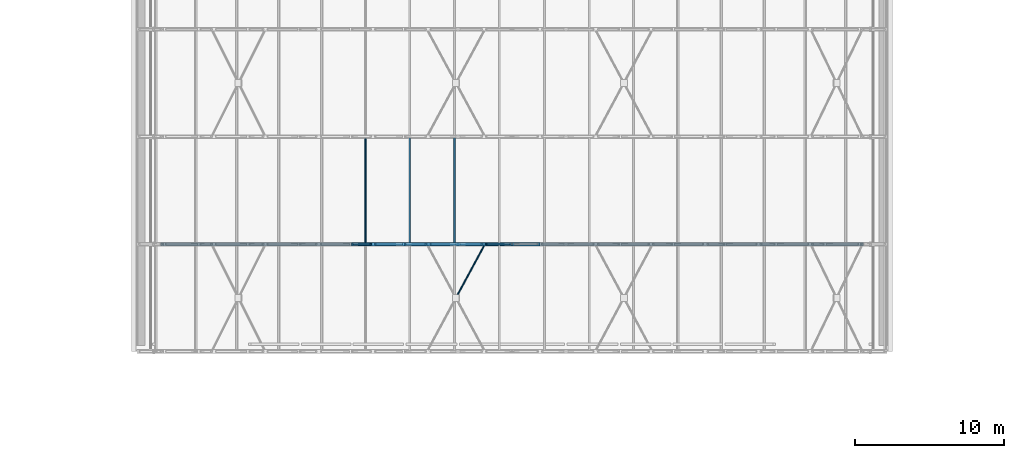
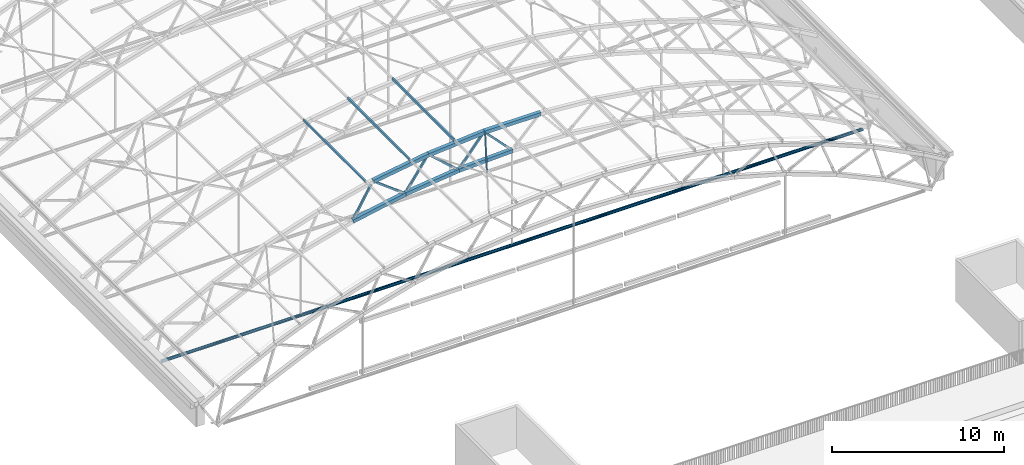
# One storey, part 14 of 127: 17 members.
"""IFC4 building model written with IfcOpenShell, lengths in metres."""

import ifcopenshell
import ifcopenshell.guid

model = None  # the IFC model being written
_history = None  # IfcOwnerHistory: only IFC2X3 demands one
_inside = {}  # id of a spatial element -> (the spatial element, [elements in it])
_under = {}  # id of a project, library or spatial element -> (it, [spatial elements below it])
_declared = {}  # id of a project -> (the project, [libraries it declares])
_typed = {}  # id of a type object -> (the type object, [elements of that type])
_made_of = {}  # id of a material, layer set ... -> (it, [elements and type objects made of it])


def new_model(schema):
    """Start an empty IFC model of exactly this schema.

    Asked for "IFC4X3", IfcOpenShell would pick the latest addendum, in which some entities
    have other attributes; the version numbers below select the first issue.
    IFC2X3 requires an IfcOwnerHistory on every rooted entity: one is made here for all.
    """
    global model, _history
    if schema == "IFC4X3":
        model = ifcopenshell.file(schema_version=(4, 3, 0, 0))
    else:
        model = ifcopenshell.file(schema=schema)
    _inside.clear()
    _under.clear()
    _declared.clear()
    _typed.clear()
    _made_of.clear()
    _history = None
    if model.schema == "IFC2X3":
        org = make("IfcOrganization", Name="unknown")
        user = make(
            "IfcPersonAndOrganization",
            ThePerson=make("IfcPerson", FamilyName="unknown"),
            TheOrganization=org,
        )
        app = make(
            "IfcApplication",
            ApplicationDeveloper=org,
            Version="unknown",
            ApplicationFullName="unknown",
            ApplicationIdentifier="unknown",
        )
        _history = make(
            "IfcOwnerHistory",
            OwningUser=user,
            OwningApplication=app,
            ChangeAction="ADDED",
            CreationDate=0,
        )
    return model


def make(cls, **values):
    """One entity of the class cls with the attributes given. An attribute that is None is left unset."""
    return model.create_entity(
        cls, **{name: value for name, value in values.items() if value is not None}
    )


def rooted(cls, **values):
    """An entity with a GlobalId (a new one), such as an element, a storey or a relation."""
    return make(cls, GlobalId=ifcopenshell.guid.new(), OwnerHistory=_history, **values)


def si_unit(unit_type, name, prefix=None):
    """IfcSIUnit, for example si_unit("LENGTHUNIT", "METRE", prefix="MILLI")."""
    return make("IfcSIUnit", UnitType=unit_type, Prefix=prefix, Name=name)


def assignment(units):
    """IfcUnitAssignment: the units of a project."""
    return None if units is None else make("IfcUnitAssignment", Units=units)


def point(xyz):
    """IfcCartesianPoint."""
    return None if xyz is None else make("IfcCartesianPoint", Coordinates=xyz)


def direction(xyz):
    """IfcDirection."""
    return None if xyz is None else make("IfcDirection", DirectionRatios=xyz)


def frame(location, z_axis=None, x_axis=None):
    """IfcAxis2Placement3D, a coordinate frame: its origin and axes. An axis left out is left unset."""
    return make(
        "IfcAxis2Placement3D",
        Location=point(location),
        Axis=direction(z_axis),
        RefDirection=direction(x_axis),
    )


def frame_2d(location, x_axis=None):
    """IfcAxis2Placement2D, a coordinate frame in the plane: its origin and x axis."""
    return make(
        "IfcAxis2Placement2D", Location=point(location), RefDirection=direction(x_axis)
    )


def origin():
    """The frame at (0, 0, 0) with its axes left unset."""
    return frame((0.0, 0.0, 0.0))


def origin_2d():
    """The frame at (0, 0) in the plane with its x axis left unset."""
    return frame_2d((0.0, 0.0))


def place(relative_to, where):
    """IfcLocalPlacement: puts the frame where relative to a parent placement (None: the world)."""
    return make(
        "IfcLocalPlacement", PlacementRelTo=relative_to, RelativePlacement=where
    )


def context(
    kind, dimensions, precision=None, world=None, true_north=None, identifier=None
):
    """IfcGeometricRepresentationContext, for example the 3D "Model" context."""
    return make(
        "IfcGeometricRepresentationContext",
        ContextIdentifier=identifier,
        ContextType=kind,
        CoordinateSpaceDimension=dimensions,
        Precision=precision,
        WorldCoordinateSystem=world,
        TrueNorth=true_north,
    )


def subcontext(parent, identifier, kind, view, scale=None):
    """IfcGeometricRepresentationSubContext, for example "Body" below "Model"."""
    return make(
        "IfcGeometricRepresentationSubContext",
        ContextIdentifier=identifier,
        ContextType=kind,
        ParentContext=parent,
        TargetScale=scale,
        TargetView=view,
    )


def project(units=None, contexts=None):
    """IfcProject with its units and contexts."""
    return rooted(
        "IfcProject",
        Name="project",
        RepresentationContexts=contexts,
        UnitsInContext=assignment(units),
    )


def spatial(cls, under=None, at=None, **own):
    """A site, building, storey or space (cls), placed at a placement, below another one or the project."""
    s = rooted(cls, ObjectPlacement=at, **own)
    if under is not None:
        _under.setdefault(under.id(), (under, []))[1].append(s)
    return s


def profile(cls, at=None, kind="AREA", **sizes):
    """A parametric profile (cls). Its sizes go by their IFC names, for example OverallWidth=200.0."""
    return make(cls, ProfileType=kind, Position=at, **sizes)


def hollow_rectangle(**sizes):
    """IfcRectangleHollowProfileDef."""
    return profile("IfcRectangleHollowProfileDef", **sizes)


def hollow_circle(**sizes):
    """IfcCircleHollowProfileDef."""
    return profile("IfcCircleHollowProfileDef", **sizes)


def extrude(swept, where, along, depth):
    """IfcExtrudedAreaSolid: the profile swept, set in the frame where, extruded along a direction by depth."""
    return make(
        "IfcExtrudedAreaSolid",
        SweptArea=swept,
        Position=where,
        ExtrudedDirection=direction(along),
        Depth=depth,
    )


def shape(context_of_items, identifier, shape_type, items):
    """IfcShapeRepresentation: the items that make up one representation, for example the "Body"."""
    return make(
        "IfcShapeRepresentation",
        ContextOfItems=context_of_items,
        RepresentationIdentifier=identifier,
        RepresentationType=shape_type,
        Items=items,
    )


def material(Name=None, Category=None):
    """IfcMaterial."""
    return make("IfcMaterial", Name=Name, Category=Category)


def material_profile(
    of_material, cross_section, Name=None, Category=None, Priority=None
):
    """IfcMaterialProfile: a cross section and its material."""
    return make(
        "IfcMaterialProfile",
        Name=Name,
        Material=of_material,
        Profile=cross_section,
        Priority=Priority,
        Category=Category,
    )


def profile_set(profiles, Name=None, composite=None):
    """IfcMaterialProfileSet."""
    return make(
        "IfcMaterialProfileSet",
        Name=Name,
        MaterialProfiles=profiles,
        CompositeProfile=composite,
    )


def made_of(thing, what):
    """Note that an element or type object is made of a material, layer set ...; save() writes the relation."""
    if what is not None:
        _made_of.setdefault(what.id(), (what, []))[1].append(thing)
    return thing


def type_object(cls, material=None, **own):
    """A type object (cls), such as IfcWallType, which elements share."""
    return made_of(rooted(cls, **own), material)


def element(
    cls,
    number,
    at=None,
    inside=None,
    cuts=None,
    type_object=None,
    material=None,
    context=None,
    identifier="Body",
    shape_type=None,
    held_by="IfcProductDefinitionShape",
    body=None,
    shapes=None,
    **own,
):
    """One element of the class cls, such as IfcWall. Its Tag is "e" and its number.

    at: its placement. inside: the storey or other place that contains it. cuts: it is an
    opening in that element (IfcRelVoidsElement). A single representation is given by context,
    identifier, shape_type and body (its items); several are given by shapes. held_by: the class
    of the entity that holds the representations. save() writes the other relations.
    """
    e = rooted(cls, Tag="e%d" % number, ObjectPlacement=at, **own)
    if body is not None:
        shapes = [shape(context, identifier, shape_type, body)]
    if shapes is not None:
        e.Representation = make(held_by, Representations=shapes)
    if inside is not None:
        _inside.setdefault(inside.id(), (inside, []))[1].append(e)
    if cuts is not None:
        rooted(
            "IfcRelVoidsElement", RelatingBuildingElement=cuts, RelatedOpeningElement=e
        )
    if type_object is not None:
        _typed.setdefault(type_object.id(), (type_object, []))[1].append(e)
    return made_of(e, material)


def aggregate(whole, parts):
    """IfcRelAggregates: a whole, such as a stair, and the parts it consists of."""
    return rooted("IfcRelAggregates", RelatingObject=whole, RelatedObjects=parts)


def save(model, path):
    """Write the relations noted so far, then the file.

    IfcRelAggregates (storeys below a building ...), IfcRelContainedInSpatialStructure (elements
    in a storey), IfcRelDefinesByType, IfcRelAssociatesMaterial and IfcRelDeclares: one each for
    every whole, place, type object, material and project.
    """
    for whole, parts in _under.values():
        aggregate(whole, parts)
    for where, things in _inside.values():
        rooted(
            "IfcRelContainedInSpatialStructure",
            RelatedElements=things,
            RelatingStructure=where,
        )
    for kind, things in _typed.values():
        rooted("IfcRelDefinesByType", RelatedObjects=things, RelatingType=kind)
    for what, things in _made_of.values():
        rooted("IfcRelAssociatesMaterial", RelatedObjects=things, RelatingMaterial=what)
    for by, libraries in _declared.values():
        rooted("IfcRelDeclares", RelatingContext=by, RelatedDefinitions=libraries)
    model.write(path)


model = new_model("IFC4")

# Units and contexts
model_context = context("Model", 3, precision=1e-05, world=origin(), true_north=direction((0.0, 1.0)))
body_context = subcontext(model_context, "Body", "Model", "MODEL_VIEW")
ifc_project = project(units=[si_unit("LENGTHUNIT", "METRE"), si_unit("AREAUNIT", "SQUARE_METRE"), si_unit("VOLUMEUNIT", "CUBIC_METRE"), si_unit("PLANEANGLEUNIT", "RADIAN"), si_unit("MASSUNIT", "GRAM", prefix="KILO")], contexts=[model_context])

# Site, building, storey
site_placement = place(None, origin())
site = spatial("IfcSite", under=ifc_project, at=site_placement, CompositionType="ELEMENT")
building_placement = place(site_placement, origin())
building = spatial("IfcBuilding", under=site, at=building_placement, Name="Verrick Yard Athletic Hall", CompositionType="ELEMENT")
storey_placement = place(building_placement, frame((0.0, 0.0, 14.0)))
storey = spatial("IfcBuildingStorey", under=building, at=storey_placement, Name="L03", CompositionType="ELEMENT", Elevation=14.0)

# Members
ifc_material = material(Name="Structural steel HSS Class C 350W (CSA G40.20/G40.21)", Category="steel")
ifc_material_profile_1 = material_profile(ifc_material, hollow_rectangle(XDim=0.25390625, YDim=0.25390625, WallThickness=0.009521484375, at=origin_2d()), Name="HSS254x254x9.5")
ifc_profile_set_1 = profile_set([ifc_material_profile_1], Name="Structural steel HSS Class C 350W (CSA G40.20/G40.21)")
member_type_1 = type_object("IfcMemberType", Name="HB bottom chord HSS254x254x9.5", PredefinedType="CHORD", material=ifc_profile_set_1)
for number, where, z_axis, x_axis, name in (
    (1, (41.283447265625, 79.199951171875, 5.4912109375), (0.980848695375, 0.0, 0.194771242181), (0.0, 1.0, 0.0), "Truss TB2 bottom chord 5"),
    (2, (44.820556640625, 79.199951171875, 6.193359375), (0.993094882284, 0.0, 0.117313915545), (0.0, 1.0, 0.0), "Truss TB2 bottom chord 6"),
    (3, (48.401611328125, 79.199951171875, 6.615966796875), (0.999229864493, 0.0, 0.039238729647), (0.0, 1.0, 0.0), "Truss TB2 bottom chord 7"),
):
    element("IfcMember", number, at=place(storey_placement, frame(where, z_axis=z_axis, x_axis=x_axis)), inside=storey, type_object=member_type_1, Name=name, PredefinedType="CHORD", context=body_context, shape_type="SweptSolid", body=[
        extrude(hollow_rectangle(XDim=0.25390625, YDim=0.25390625, WallThickness=0.009521484375, at=origin_2d()), origin(), (0.0, 0.0, 1.0), 3.59619140625),
    ])
ifc_material_profile_2 = material_profile(ifc_material, hollow_rectangle(XDim=0.1015625, YDim=0.203125, WallThickness=0.009521484375, at=origin_2d()), Name="HSS203x102x9.5")
ifc_profile_set_2 = profile_set([ifc_material_profile_2], Name="Structural steel HSS Class C 350W (CSA G40.20/G40.21)")
member_type_2 = type_object("IfcMemberType", Name="HB purlin HSS203x102x9.5", PredefinedType="PURLIN", material=ifc_profile_set_2)
for number, where, z_axis, x_axis, name in (
    (4, (42.176025390625, 79.199951171875, 7.959228515625), (0.0, 1.0, 0.0), (-0.972458956474, 0.0, -0.23307418985), "HB-PU-B-2-6"),
    (5, (45.150390625, 79.199951171875, 8.464599609375), (0.0, 1.0, 0.0), (-0.987728086354, 0.0, -0.156183313539), "HB-PU-B-2-7"),
    (6, (48.14794921875, 79.199951171875, 8.794677734375), (0.0, 1.0, 0.0), (-0.996927304266, 0.0, -0.078332305011), "HB-PU-B-2-8"),
):
    element("IfcMember", number, at=place(storey_placement, frame(where, z_axis=z_axis, x_axis=x_axis)), inside=storey, type_object=member_type_2, Name=name, PredefinedType="PURLIN", context=body_context, shape_type="SweptSolid", body=[
        extrude(hollow_rectangle(XDim=0.1015625, YDim=0.203125, WallThickness=0.009521484375, at=origin_2d()), origin(), (0.0, 0.0, 1.0), 7.199951171875),
    ])
ifc_material_profile_3 = material_profile(ifc_material, hollow_circle(Radius=0.05712890625, WallThickness=0.00634765625, at=origin_2d()), Name="HSS114x6.4")
ifc_profile_set_3 = profile_set([ifc_material_profile_3], Name="Structural steel HSS Class C 350W (CSA G40.20/G40.21)")
member_type_3 = type_object("IfcMemberType", Name="HB roof brace HSS114x6.4", PredefinedType="BRACE", material=ifc_profile_set_3)
member_1_placement = place(storey_placement, frame((48.29296875, 75.69287109375, 8.576904296875), z_axis=(0.474902233348, 0.87924865214, 0.037278364666), x_axis=(-0.879860225212, 0.475232557901, 0.0)))
element("IfcMember", 7, at=member_1_placement, inside=storey, type_object=member_type_3, Name="HB-BR-B-1-5b2", PredefinedType="BRACE", context=body_context, shape_type="SweptSolid", body=[
    extrude(hollow_circle(Radius=0.05712890625, WallThickness=0.00634765625, at=origin_2d()), origin(), (0.0, 0.0, 1.0), 3.84423828125),
])
ifc_material_profile_4 = material_profile(ifc_material, hollow_circle(Radius=0.109619140625, WallThickness=0.0126953125, at=origin_2d()), Name="HSS219x13")
ifc_profile_set_4 = profile_set([ifc_material_profile_4], Name="Structural steel HSS Class C 350W (CSA G40.20/G40.21)")
member_type_4 = type_object("IfcMemberType", Name="HB tie rod HSS219x13", PredefinedType="MEMBER", material=ifc_profile_set_4)
member_2_placement = place(storey_placement, frame((28.456298828125, 79.199951171875, 0.0), z_axis=(1.0, 0.0, 0.0), x_axis=(0.0, 1.0, 0.0)))
element("IfcMember", 8, at=member_2_placement, inside=storey, type_object=member_type_4, Name="Truss TB2 tie 1", PredefinedType="MEMBER", context=body_context, shape_type="SweptSolid", body=[
    extrude(hollow_circle(Radius=0.109619140625, WallThickness=0.0126953125, at=origin_2d()), origin(), (0.0, 0.0, 1.0), 47.08740234375),
])
ifc_material_profile_5 = material_profile(ifc_material, hollow_rectangle(XDim=0.25390625, YDim=0.25390625, WallThickness=0.009521484375, at=origin_2d()), Name="HSS254x254x9.5")
ifc_profile_set_5 = profile_set([ifc_material_profile_5], Name="Structural steel HSS Class C 350W (CSA G40.20/G40.21)")
member_type_5 = type_object("IfcMemberType", Name="HB top chord HSS254x254x9.5", PredefinedType="CHORD", material=ifc_profile_set_5)
member_3_placement = place(storey_placement, frame((42.655517578125, 79.199951171875, 7.838623046875), z_axis=(0.987726014692, 0.0, 0.156196414495), x_axis=(0.0, 1.0, 0.0)))
element("IfcMember", 9, at=member_3_placement, inside=storey, type_object=member_type_5, Name="Truss TB2 top chord 6", PredefinedType="CHORD", context=body_context, shape_type="SweptSolid", body=[
    extrude(hollow_rectangle(XDim=0.25390625, YDim=0.25390625, WallThickness=0.009521484375, at=origin_2d()), origin(), (0.0, 0.0, 1.0), 3.7529296875),
])
member_4_placement = place(storey_placement, frame((46.372314453125, 79.199951171875, 8.426025390625), z_axis=(0.99692762922, 0.0, 0.07832816925), x_axis=(0.0, 1.0, 0.0)))
element("IfcMember", 10, at=member_4_placement, inside=storey, type_object=member_type_5, Name="Truss TB2 top chord 7", PredefinedType="CHORD", context=body_context, shape_type="SweptSolid", body=[
    extrude(hollow_rectangle(XDim=0.25390625, YDim=0.25390625, WallThickness=0.009521484375, at=origin_2d()), origin(), (0.0, 0.0, 1.0), 3.752685546875),
])
member_5_placement = place(storey_placement, frame((50.12353515625, 79.199951171875, 8.72021484375), z_axis=(1.0, 0.0, 0.0), x_axis=(0.0, 1.0, 0.0)))
element("IfcMember", 11, at=member_5_placement, inside=storey, type_object=member_type_5, Name="Truss TB2 top chord 8", PredefinedType="CHORD", context=body_context, shape_type="SweptSolid", body=[
    extrude(hollow_rectangle(XDim=0.25390625, YDim=0.25390625, WallThickness=0.009521484375, at=origin_2d()), origin(), (0.0, 0.0, 1.0), 3.7529296875),
])
ifc_material_profile_6 = material_profile(ifc_material, hollow_rectangle(XDim=0.126953125, YDim=0.126953125, WallThickness=0.009521484375, at=origin_2d()), Name="HSS127x127x9.5")
ifc_profile_set_6 = profile_set([ifc_material_profile_6], Name="Structural steel HSS Class C 350W (CSA G40.20/G40.21)")
member_type_6 = type_object("IfcMemberType", Name="HB truss web HSS127x127x9.5", PredefinedType="BRACE", material=ifc_profile_set_6)
member_6_placement = place(storey_placement, frame((41.404052734375, 79.199951171875, 5.705078125), z_axis=(0.504625153938, 0.0, 0.863338551214), x_axis=(0.0, 1.0, 0.0)))
element("IfcMember", 12, at=member_6_placement, inside=storey, type_object=member_type_6, Name="Truss TB2 web 9", PredefinedType="BRACE", context=body_context, shape_type="SweptSolid", body=[
    extrude(hollow_rectangle(XDim=0.126953125, YDim=0.126953125, WallThickness=0.009521484375, at=origin_2d()), origin(), (0.0, 0.0, 1.0), 2.233642578125),
])
member_7_placement = place(storey_placement, frame((42.839111328125, 79.199951171875, 7.694580078125), z_axis=(0.796206425538, 0.0, -0.605025063887), x_axis=(0.0, 1.0, 0.0)))
element("IfcMember", 13, at=member_7_placement, inside=storey, type_object=member_type_6, Name="Truss TB2 web 10", PredefinedType="BRACE", context=body_context, shape_type="SweptSolid", body=[
    extrude(hollow_rectangle(XDim=0.126953125, YDim=0.126953125, WallThickness=0.009521484375, at=origin_2d()), origin(), (0.0, 0.0, 1.0), 2.2333984375),
])
for number, where, z_axis, x_axis, name in (
    (14, (44.95751953125, 79.199951171875, 6.39697265625), (0.570664111571, 0.0, 0.821183579819), (0.0, 1.0, 0.0), "Truss TB2 web 11"),
    (15, (46.5439453125, 79.199951171875, 8.26806640625), (0.746389338881, 0.0, -0.66550954524), (0.0, 1.0, 0.0), "Truss TB2 web 12"),
    (16, (48.55419921875, 79.199951171875, 6.808349609375), (0.633267548908, 0.0, 0.773932950262), (0.0, 1.0, 0.0), "Truss TB2 web 13"),
):
    element("IfcMember", number, at=place(storey_placement, frame(where, z_axis=z_axis, x_axis=x_axis)), inside=storey, type_object=member_type_6, Name=name, PredefinedType="BRACE", context=body_context, shape_type="SweptSolid", body=[
        extrude(hollow_rectangle(XDim=0.126953125, YDim=0.126953125, WallThickness=0.009521484375, at=origin_2d()), origin(), (0.0, 0.0, 1.0), 2.233642578125),
    ])
member_8_placement = place(storey_placement, frame((50.282470703125, 79.199951171875, 8.54931640625), z_axis=(0.691917233653, 0.0, -0.721976829112), x_axis=(0.0, 1.0, 0.0)))
element("IfcMember", 17, at=member_8_placement, inside=storey, type_object=member_type_6, Name="Truss TB2 web 14", PredefinedType="BRACE", context=body_context, shape_type="SweptSolid", body=[
    extrude(hollow_rectangle(XDim=0.126953125, YDim=0.126953125, WallThickness=0.009521484375, at=origin_2d()), origin(), (0.0, 0.0, 1.0), 2.2333984375),
])

save(model, "model.ifc")
